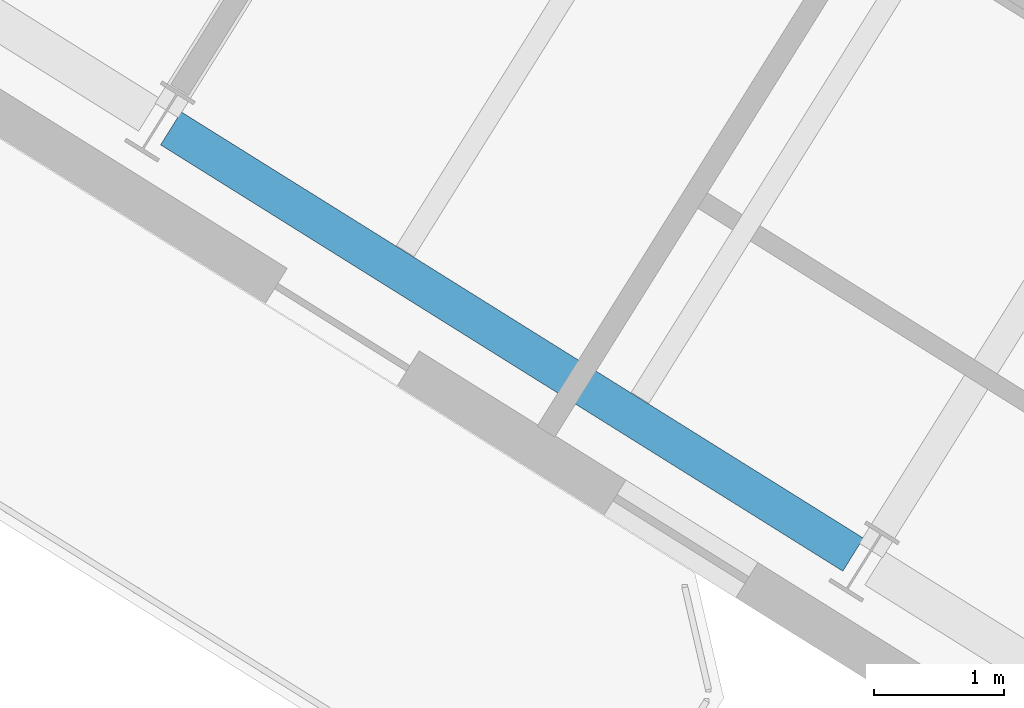
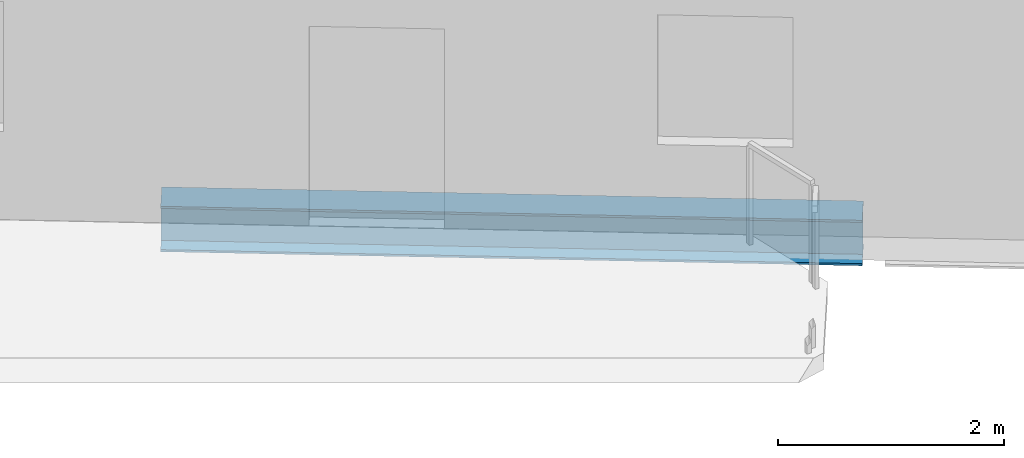
# One storey, part 5 of 25: 1 beam.
"""IFC4 building model written with IfcOpenShell, lengths in metres."""

from ifc_helpers import new_model, si_unit, direction, frame, origin, origin_2d, place, context, subcontext, project, spatial, i_section, extrude, source, transform, mapped, material, material_profile, profile_set, type_object, element, save


model = new_model("IFC4")

# Units and contexts
model_context = context("Model", 3, precision=1e-05, world=origin(), true_north=direction((0.0, 1.0)))
body_context = subcontext(model_context, "Body", "Model", "MODEL_VIEW")
ifc_project = project(units=[si_unit("LENGTHUNIT", "METRE"), si_unit("AREAUNIT", "SQUARE_METRE"), si_unit("VOLUMEUNIT", "CUBIC_METRE"), si_unit("PLANEANGLEUNIT", "RADIAN"), si_unit("MASSUNIT", "GRAM", prefix="KILO")], contexts=[model_context])

# Site, building, storey
site_placement = place(None, origin())
site = spatial("IfcSite", under=ifc_project, at=site_placement, CompositionType="ELEMENT")
building_placement = place(site_placement, origin())
building = spatial("IfcBuilding", under=site, at=building_placement, Name="Tlacorven Tower", CompositionType="ELEMENT")
storey_placement = place(building_placement, frame((0.0, 0.0, 155.10009765625)))
storey = spatial("IfcBuildingStorey", under=building, at=storey_placement, Name="L39", CompositionType="ELEMENT", Elevation=155.10009765625)

# Beam
ifc_material = material(Name="Steel S355J2", Category="steel")
ifc_material_profile = material_profile(ifc_material, i_section(OverallWidth=0.300048828125, OverallDepth=0.489990234375, WebThickness=0.011962890625, FlangeThickness=0.02294921875, at=origin_2d()), Name="HEA 500")
ifc_profile_set = profile_set([ifc_material_profile], Name="Steel S355J2")
beam_type = type_object("IfcBeamType", Name="BM-SPN-500", PredefinedType="SPANDREL", material=ifc_profile_set)
shared_shape = source(origin(), body_context, "Body", "SweptSolid", [
    extrude(i_section(OverallWidth=0.300048828125, OverallDepth=0.489990234375, WebThickness=0.011962890625, FlangeThickness=0.02294921875, at=origin_2d()), origin(), (0.0, 0.0, 1.0), 6.199951171875),
])
beam_placement = place(storey_placement, frame((18.82080078125, 13.6650390625, -0.4951171875), z_axis=(-0.848051394107, 0.529913986372, 0.0), x_axis=(-0.529913986372, -0.848051394107, 0.0)))
element("IfcBeam", 1, at=beam_placement, inside=storey, type_object=beam_type, Name="L39 beam BM-L39-WL4-3", PredefinedType="SPANDREL", context=body_context, shape_type="MappedRepresentation", body=[
    mapped(shared_shape, transform((0.0, 0.0, 0.0), scale=1.0)),
])

save(model, "model.ifc")
